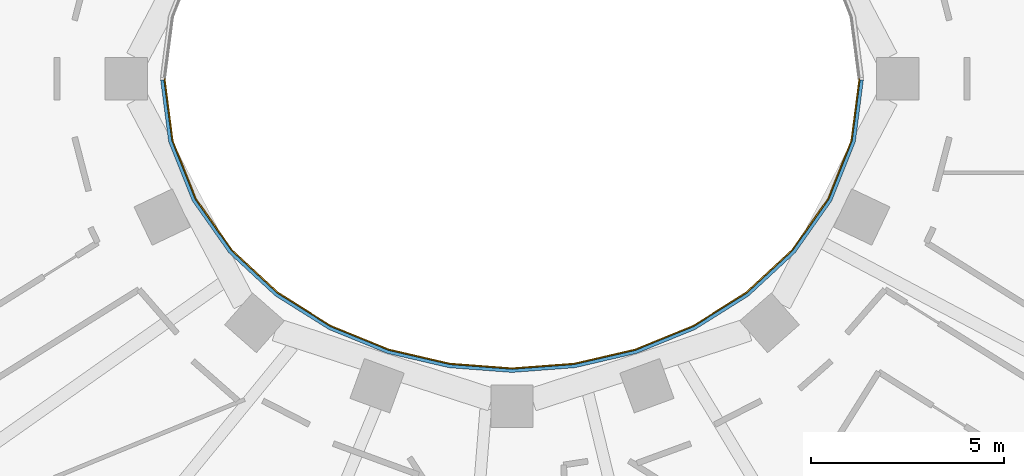
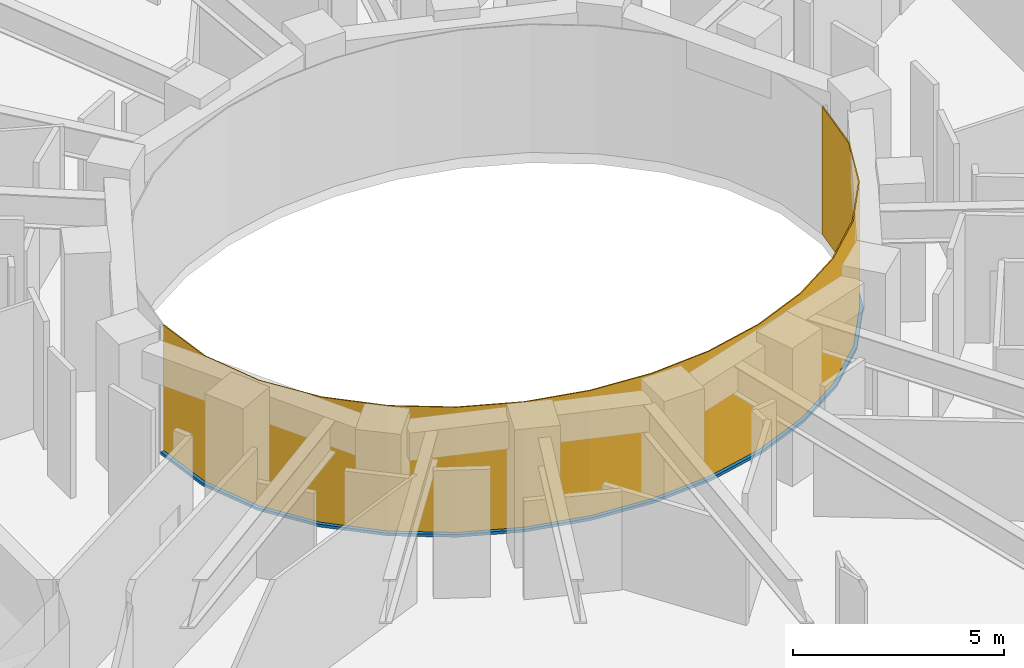
# One storey, part 10 of 16: 1 curtain wall, 1 member.
"""IFC4 building model written with IfcOpenShell, lengths in metres."""

from ifc_helpers import new_model, si_unit, direction, frame, origin, place, context, subcontext, project, spatial, polyline, outline, extrude, material, layer, layer_set, type_object, element, aggregate, save


model = new_model("IFC4")

# Units and contexts
model_context = context("Model", 3, precision=1e-05, world=origin(), true_north=direction((0.0, 1.0)))
body_context = subcontext(model_context, "Body", "Model", "MODEL_VIEW")
ifc_project = project(units=[si_unit("LENGTHUNIT", "METRE"), si_unit("AREAUNIT", "SQUARE_METRE"), si_unit("VOLUMEUNIT", "CUBIC_METRE"), si_unit("PLANEANGLEUNIT", "RADIAN"), si_unit("MASSUNIT", "GRAM", prefix="KILO")], contexts=[model_context])

# Member
ifc_material_1 = material(Name="Steel S355 fire-resisting frame", Category="steel")
member_type = type_object("IfcMemberType", Name="ENV-TRANSOM-W", PredefinedType="USERDEFINED", material=ifc_material_1)
site_placement = place(None, origin())
building_placement = place(site_placement, origin())
storey_placement = place(building_placement, frame((0.0, 0.0, 166.0)))
member_placement = place(storey_placement, origin())
member = element("IfcMember", 1, at=member_placement, type_object=member_type, Name="Transom W well 17-01", ObjectType="TRANSOM", PredefinedType="USERDEFINED", context=body_context, shape_type="SweptSolid", body=[
    extrude(outline(polyline([(-9.119384765625, -0.02783203125), (-8.910400390625, -1.63623046875), (-8.29833984375, -3.167236328125), (-7.35107421875, -4.5146484375), (-6.1455078125, -5.6337890625), (-4.75341796875, -6.50634765625), (-3.233642578125, -7.127685546875), (-1.635498046875, -7.498779296875), (0.0, -7.622314453125), (1.635498046875, -7.498779296875), (3.233642578125, -7.127685546875), (4.75341796875, -6.50634765625), (6.1455078125, -5.6337890625), (7.35107421875, -4.5146484375), (8.29833984375, -3.167236328125), (8.910400390625, -1.63623046875), (9.119384765625, -0.02783203125), (9.02880859375, -0.02783203125), (8.822509765625, -1.61328125), (8.21875, -3.124267578125), (7.282958984375, -4.455078125), (6.090576171875, -5.56201171875), (4.712158203125, -6.426025390625), (3.206298828125, -7.04150390625), (1.621826171875, -7.40966796875), (0.0, -7.531982421875), (-1.621826171875, -7.40966796875), (-3.206298828125, -7.04150390625), (-4.712158203125, -6.426025390625), (-6.090576171875, -5.56201171875), (-7.282958984375, -4.455078125), (-8.21875, -3.124267578125), (-8.822509765625, -1.61328125), (-9.02880859375, -0.02783203125), (-9.119384765625, -0.02783203125)])), origin(), (0.0, 0.0, 1.0), 0.080078125),
])

# Site, building, storey
site = spatial("IfcSite", under=ifc_project, at=site_placement, CompositionType="ELEMENT")
building = spatial("IfcBuilding", under=site, at=building_placement, Name="Noorbagh Ring Tower", CompositionType="ELEMENT")
storey = spatial("IfcBuildingStorey", under=building, at=storey_placement, Name="L38", CompositionType="ELEMENT", Elevation=166.0)

# Curtain wall
ifc_material_2 = material(Name="Glass fire-resisting E60 laminated", Category="glass")
ifc_layer = layer(ifc_material_2, 0.031982421875)
ifc_layer_set = layer_set([ifc_layer], Name="Glass fire-resisting E60 laminated")
curtain_wall_type = type_object("IfcCurtainWallType", Name="ENV-CW-W", PredefinedType="NOTDEFINED", material=ifc_layer_set)
curtain_wall_placement = place(storey_placement, origin())
curtain_wall = element("IfcCurtainWall", 2, at=curtain_wall_placement, inside=storey, type_object=curtain_wall_type, Name="Curtain wall W W17", PredefinedType="NOTDEFINED", context=body_context, shape_type="SweptSolid", body=[
    extrude(outline(polyline([(-9.0322265625, 0.0), (-8.822509765625, -1.61328125), (-8.21875, -3.124267578125), (-7.282958984375, -4.455078125), (-6.090576171875, -5.56201171875), (-4.712158203125, -6.426025390625), (-3.206298828125, -7.04150390625), (-1.621826171875, -7.40966796875), (0.0, -7.531982421875), (1.621826171875, -7.40966796875), (3.206298828125, -7.04150390625), (4.712158203125, -6.426025390625), (6.090576171875, -5.56201171875), (7.282958984375, -4.455078125), (8.21875, -3.124267578125), (8.822509765625, -1.61328125), (9.0322265625, 0.0), (9.0, 0.0), (8.79150390625, -1.605224609375), (8.1904296875, -3.10888671875), (7.2587890625, -4.43408203125), (6.071044921875, -5.53662109375), (4.697509765625, -6.3974609375), (3.196533203125, -7.010986328125), (1.6171875, -7.3779296875), (0.0, -7.5), (-1.6171875, -7.3779296875), (-3.196533203125, -7.010986328125), (-4.697509765625, -6.3974609375), (-6.071044921875, -5.53662109375), (-7.2587890625, -4.43408203125), (-8.1904296875, -3.10888671875), (-8.79150390625, -1.605224609375), (-9.0, 0.0), (-9.0322265625, 0.0)])), origin(), (0.0, 0.0, 1.0), 3.699951171875),
])

aggregate(curtain_wall, [member])

save(model, "model.ifc")
